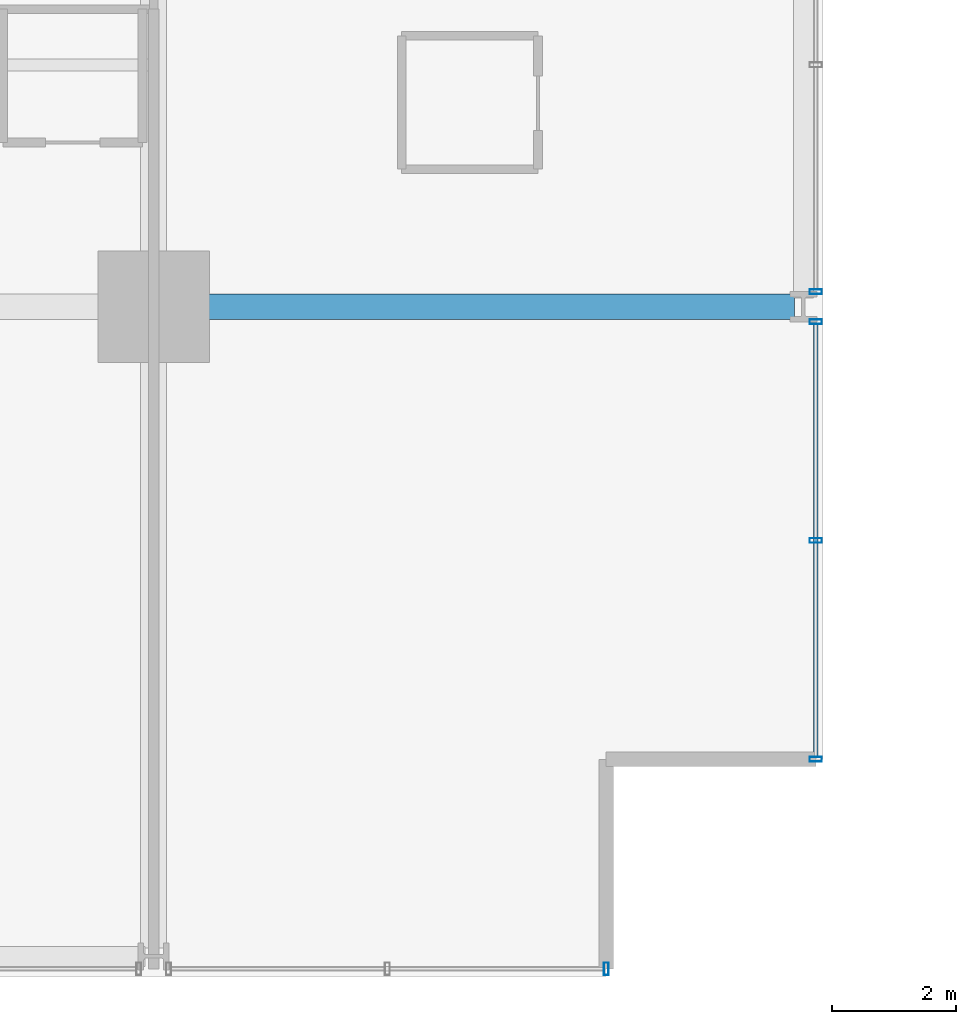
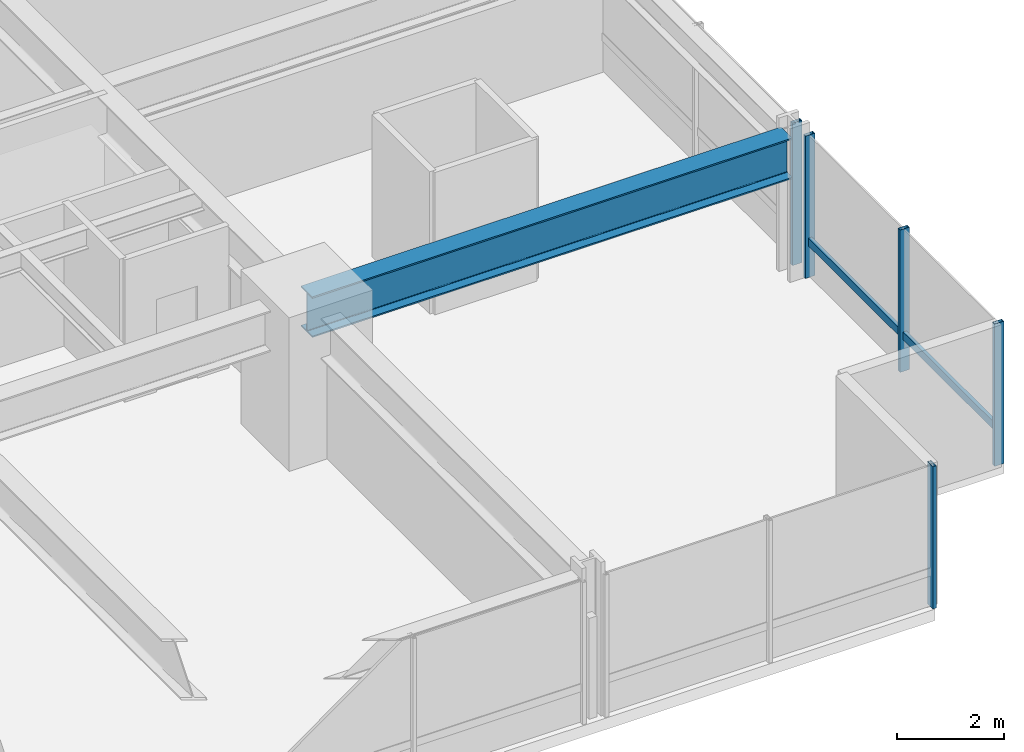
# One storey, part 13 of 38: 6 members, 1 beam, 3 elements without a shape of their own.
"""IFC4 building model written with IfcOpenShell, lengths in metres."""

from ifc_helpers import new_model, si_unit, direction, frame, origin, origin_2d, place, context, subcontext, project, spatial, hollow_rectangle, i_section, extrude, material, layer, layer_set, material_profile, profile_set, type_object, element, aggregate, save


model = new_model("IFC4")

# Units and contexts
model_context = context("Model", 3, precision=1e-05, world=origin(), true_north=direction((0.0, 1.0)))
body_context = subcontext(model_context, "Body", "Model", "MODEL_VIEW")
ifc_project = project(units=[si_unit("LENGTHUNIT", "METRE"), si_unit("AREAUNIT", "SQUARE_METRE"), si_unit("VOLUMEUNIT", "CUBIC_METRE"), si_unit("PLANEANGLEUNIT", "RADIAN"), si_unit("MASSUNIT", "GRAM", prefix="KILO")], contexts=[model_context])

# Site, building, storey
site_placement = place(None, origin())
site = spatial("IfcSite", under=ifc_project, at=site_placement, CompositionType="ELEMENT")
building_placement = place(site_placement, origin())
building = spatial("IfcBuilding", under=site, at=building_placement, Name="Drelvath Grand Hotel", CompositionType="ELEMENT")
storey_placement = place(building_placement, frame((0.0, 0.0, 47.199951171875)))
storey = spatial("IfcBuildingStorey", under=building, at=storey_placement, Name="L10", CompositionType="ELEMENT", Elevation=47.199951171875)

# Curtain wall, members
ifc_material_1 = material(Name="Warm Bronze Anodised Aluminium Frame", Category="aluminium")
ifc_layer = layer(ifc_material_1, 0.199951171875)
ifc_layer_set = layer_set([ifc_layer], Name="Warm Bronze Anodised Aluminium Frame")
curtain_wall_type = type_object("IfcCurtainWallType", Name="Stick Curtain Wall CW-02 Warm Bronze Low-Rise", PredefinedType="NOTDEFINED", material=ifc_layer_set)
curtain_wall_1_placement = place(storey_placement, origin())
curtain_wall_1 = element("IfcCurtainWall", 1, at=curtain_wall_1_placement, inside=storey, type_object=curtain_wall_type, Name="L10 CW-02 Curtain Wall CW02-L10-ES1", PredefinedType="NOTDEFINED")
ifc_material_profile_1 = material_profile(ifc_material_1, hollow_rectangle(XDim=0.074951171875, YDim=0.179931640625, WallThickness=0.0048828125, at=origin_2d()), Name="HSS180X75X5")
ifc_profile_set_1 = profile_set([ifc_material_profile_1], Name="Warm Bronze Anodised Aluminium Frame")
member_type_1 = type_object("IfcMemberType", Name="Curtain Wall Horizontal Transom CW-02 HSS180X75X5", PredefinedType="USERDEFINED", material=ifc_profile_set_1)
member_1_placement = place(storey_placement, frame((26.8798828125, 10.51904296875, 0.81005859375), z_axis=(0.0, -1.0, 0.0), x_axis=(1.0, 0.0, 0.0)))
member_1 = element("IfcMember", 2, at=member_1_placement, type_object=member_type_1, Name="CW02-L10-ES1 Sill Transom", ObjectType="TRANSOM", PredefinedType="USERDEFINED", context=body_context, shape_type="SweptSolid", body=[
    extrude(hollow_rectangle(XDim=0.074951171875, YDim=0.179931640625, WallThickness=0.0048828125, at=origin_2d()), origin(), (0.0, 0.0, 1.0), 6.97900390625),
])
ifc_material_profile_2 = material_profile(ifc_material_1, hollow_rectangle(XDim=0.080078125, YDim=0.199951171875, WallThickness=0.0048828125, at=origin_2d()), Name="HSS200X80X5")
ifc_profile_set_2 = profile_set([ifc_material_profile_2], Name="Warm Bronze Anodised Aluminium Frame")
member_type_2 = type_object("IfcMemberType", Name="Curtain Wall Vertical Mullion CW-02 HSS200X80X5", PredefinedType="MULLION", material=ifc_profile_set_2)
member_2_placement = place(storey_placement, frame((26.8798828125, 10.55908203125, 0.0), z_axis=(0.0, 0.0, 1.0), x_axis=(0.0, 1.0, 0.0)))
member_2 = element("IfcMember", 3, at=member_2_placement, type_object=member_type_2, Name="CW02-L10-ES1 Mullion 1", PredefinedType="MULLION", context=body_context, shape_type="SweptSolid", body=[
    extrude(hollow_rectangle(XDim=0.080078125, YDim=0.199951171875, WallThickness=0.0048828125, at=origin_2d()), origin(), (0.0, 0.0, 1.0), 3.239990234375),
])
member_3_placement = place(storey_placement, frame((26.8798828125, 7.029541015625, 0.0), z_axis=(0.0, 0.0, 1.0), x_axis=(0.0, 1.0, 0.0)))
member_3 = element("IfcMember", 4, at=member_3_placement, type_object=member_type_2, Name="CW02-L10-ES1 Mullion 2", PredefinedType="MULLION", context=body_context, shape_type="SweptSolid", body=[
    extrude(hollow_rectangle(XDim=0.080078125, YDim=0.199951171875, WallThickness=0.0048828125, at=origin_2d()), origin(), (0.0, 0.0, 1.0), 3.239990234375),
])
member_4_placement = place(storey_placement, frame((26.8798828125, 3.5, 0.0), z_axis=(0.0, 0.0, 1.0), x_axis=(0.0, 1.0, 0.0)))
member_4 = element("IfcMember", 5, at=member_4_placement, type_object=member_type_2, Name="CW02-L10-ES1 Mullion 3", PredefinedType="MULLION", context=body_context, shape_type="SweptSolid", body=[
    extrude(hollow_rectangle(XDim=0.080078125, YDim=0.199951171875, WallThickness=0.0048828125, at=origin_2d()), origin(), (0.0, 0.0, 1.0), 3.239990234375),
])
aggregate(curtain_wall_1, [member_2, member_3, member_4, member_1])

# Curtain wall, member
curtain_wall_2_placement = place(storey_placement, origin())
curtain_wall_2 = element("IfcCurtainWall", 6, at=curtain_wall_2_placement, inside=storey, type_object=curtain_wall_type, Name="L10 CW-02 Curtain Wall CW02-L10-ES2", PredefinedType="NOTDEFINED")
member_5_placement = place(storey_placement, frame((26.8798828125, 11.041015625, 0.0), z_axis=(0.0, 0.0, 1.0), x_axis=(0.0, 1.0, 0.0)))
member_5 = element("IfcMember", 7, at=member_5_placement, type_object=member_type_2, Name="CW02-L10-ES2 Mullion 3", PredefinedType="MULLION", context=body_context, shape_type="SweptSolid", body=[
    extrude(hollow_rectangle(XDim=0.080078125, YDim=0.199951171875, WallThickness=0.0048828125, at=origin_2d()), origin(), (0.0, 0.0, 1.0), 3.239990234375),
])
aggregate(curtain_wall_2, [member_5])

curtain_wall_3_placement = place(storey_placement, origin())
curtain_wall_3 = element("IfcCurtainWall", 8, at=curtain_wall_3_placement, inside=storey, type_object=curtain_wall_type, Name="L10 CW-02 Curtain Wall CW02-L10-SE3", PredefinedType="NOTDEFINED")
member_6_placement = place(storey_placement, frame((23.5, 0.1201171875, 0.0), z_axis=(0.0, 0.0, 1.0), x_axis=(1.0, 0.0, 0.0)))
member_6 = element("IfcMember", 9, at=member_6_placement, type_object=member_type_2, Name="CW02-L10-SE3 Mullion 1", PredefinedType="MULLION", context=body_context, shape_type="SweptSolid", body=[
    extrude(hollow_rectangle(XDim=0.080078125, YDim=0.199951171875, WallThickness=0.0048828125, at=origin_2d()), origin(), (0.0, 0.0, 1.0), 3.239990234375),
])
aggregate(curtain_wall_3, [member_6])

# Beam
ifc_material_2 = material(Name="Steel ASTM A992 Gr 50", Category="steel")
ifc_material_profile_3 = material_profile(ifc_material_2, i_section(OverallWidth=0.418212890625, OverallDepth=0.926513671875, WebThickness=0.019287109375, FlangeThickness=0.031982421875, FilletRadius=0.028076171875, at=origin_2d()), Name="W36X231")
ifc_profile_set_3 = profile_set([ifc_material_profile_3], Name="Steel ASTM A992 Gr 50")
beam_type = type_object("IfcBeamType", Name="Primary Floor Girder W36X231", PredefinedType="BEAM", material=ifc_profile_set_3)
beam_placement = place(storey_placement, frame((16.199951171875, 10.800048828125, 2.77685546875), z_axis=(1.0, 0.0, 0.0), x_axis=(0.0, 1.0, 0.0)))
element("IfcBeam", 10, at=beam_placement, inside=storey, type_object=beam_type, Name="L10 East Grid Girder C", PredefinedType="BEAM", context=body_context, shape_type="SweptSolid", body=[
    extrude(i_section(OverallWidth=0.418212890625, OverallDepth=0.926513671875, WebThickness=0.019287109375, FlangeThickness=0.031982421875, FilletRadius=0.028076171875, at=origin_2d()), origin(), (0.0, 0.0, 1.0), 10.340087890625),
])

save(model, "model.ifc")
